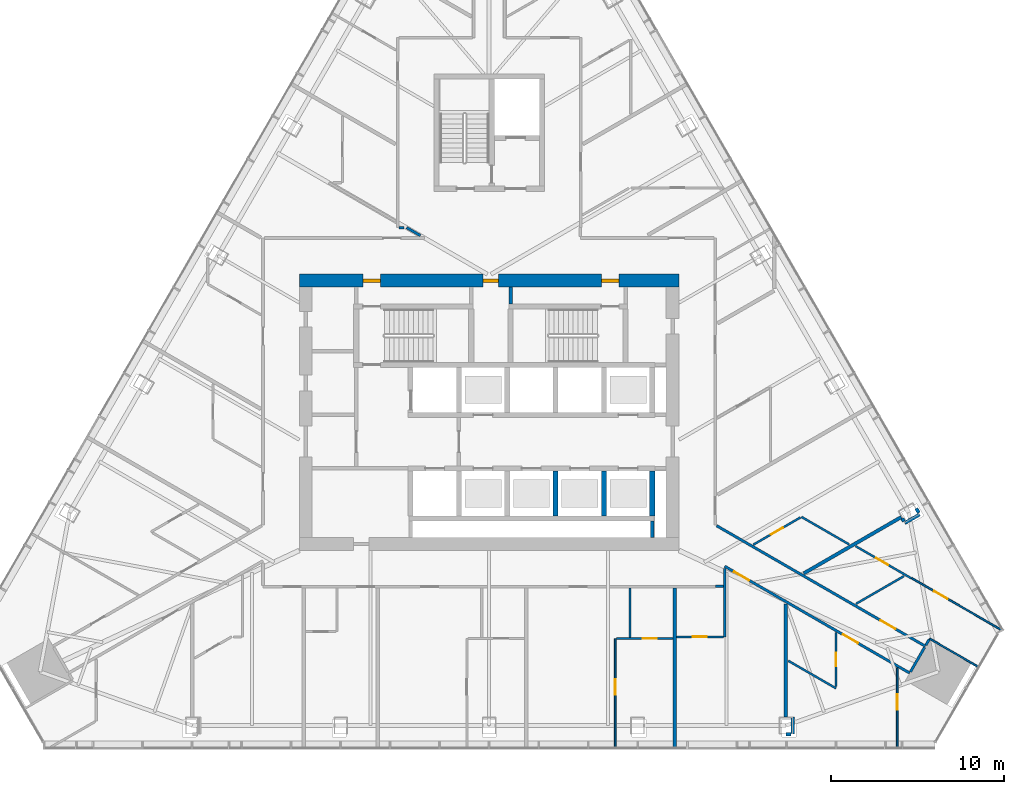
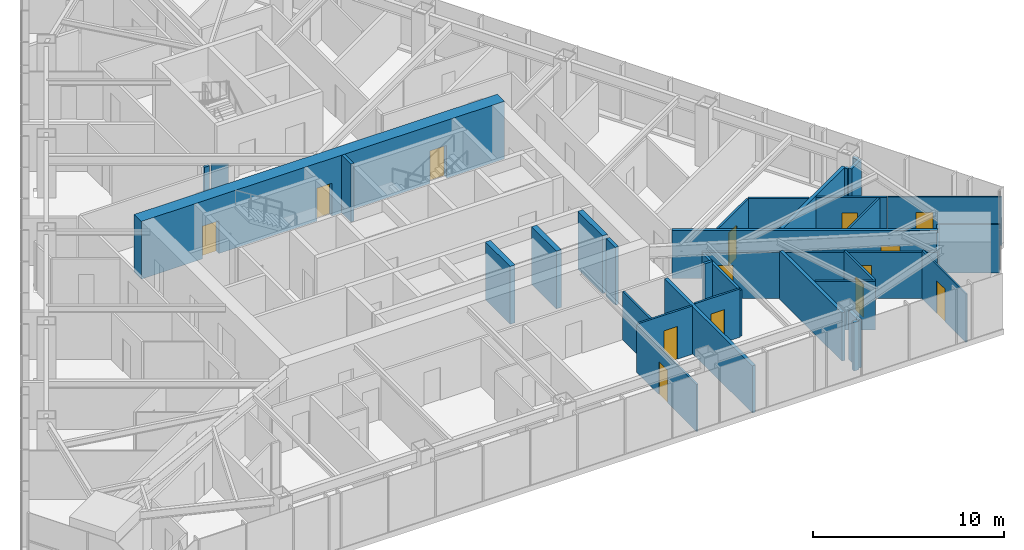
# One storey, part 12 of 16: 35 walls, 14 doors, 14 openings.
"""IFC4 building model written with IfcOpenShell, lengths in metres."""

import ifcopenshell
import ifcopenshell.guid

model = None  # the IFC model being written
_history = None  # IfcOwnerHistory: only IFC2X3 demands one
_inside = {}  # id of a spatial element -> (the spatial element, [elements in it])
_under = {}  # id of a project, library or spatial element -> (it, [spatial elements below it])
_declared = {}  # id of a project -> (the project, [libraries it declares])
_typed = {}  # id of a type object -> (the type object, [elements of that type])
_made_of = {}  # id of a material, layer set ... -> (it, [elements and type objects made of it])


def new_model(schema):
    """Start an empty IFC model of exactly this schema.

    Asked for "IFC4X3", IfcOpenShell would pick the latest addendum, in which some entities
    have other attributes; the version numbers below select the first issue.
    IFC2X3 requires an IfcOwnerHistory on every rooted entity: one is made here for all.
    """
    global model, _history
    if schema == "IFC4X3":
        model = ifcopenshell.file(schema_version=(4, 3, 0, 0))
    else:
        model = ifcopenshell.file(schema=schema)
    _inside.clear()
    _under.clear()
    _declared.clear()
    _typed.clear()
    _made_of.clear()
    _history = None
    if model.schema == "IFC2X3":
        org = make("IfcOrganization", Name="unknown")
        user = make(
            "IfcPersonAndOrganization",
            ThePerson=make("IfcPerson", FamilyName="unknown"),
            TheOrganization=org,
        )
        app = make(
            "IfcApplication",
            ApplicationDeveloper=org,
            Version="unknown",
            ApplicationFullName="unknown",
            ApplicationIdentifier="unknown",
        )
        _history = make(
            "IfcOwnerHistory",
            OwningUser=user,
            OwningApplication=app,
            ChangeAction="ADDED",
            CreationDate=0,
        )
    return model


def make(cls, **values):
    """One entity of the class cls with the attributes given. An attribute that is None is left unset."""
    return model.create_entity(
        cls, **{name: value for name, value in values.items() if value is not None}
    )


def rooted(cls, **values):
    """An entity with a GlobalId (a new one), such as an element, a storey or a relation."""
    return make(cls, GlobalId=ifcopenshell.guid.new(), OwnerHistory=_history, **values)


def si_unit(unit_type, name, prefix=None):
    """IfcSIUnit, for example si_unit("LENGTHUNIT", "METRE", prefix="MILLI")."""
    return make("IfcSIUnit", UnitType=unit_type, Prefix=prefix, Name=name)


def assignment(units):
    """IfcUnitAssignment: the units of a project."""
    return None if units is None else make("IfcUnitAssignment", Units=units)


def point(xyz):
    """IfcCartesianPoint."""
    return None if xyz is None else make("IfcCartesianPoint", Coordinates=xyz)


def direction(xyz):
    """IfcDirection."""
    return None if xyz is None else make("IfcDirection", DirectionRatios=xyz)


def frame(location, z_axis=None, x_axis=None):
    """IfcAxis2Placement3D, a coordinate frame: its origin and axes. An axis left out is left unset."""
    return make(
        "IfcAxis2Placement3D",
        Location=point(location),
        Axis=direction(z_axis),
        RefDirection=direction(x_axis),
    )


def frame_2d(location, x_axis=None):
    """IfcAxis2Placement2D, a coordinate frame in the plane: its origin and x axis."""
    return make(
        "IfcAxis2Placement2D", Location=point(location), RefDirection=direction(x_axis)
    )


def origin():
    """The frame at (0, 0, 0) with its axes left unset."""
    return frame((0.0, 0.0, 0.0))


def place(relative_to, where):
    """IfcLocalPlacement: puts the frame where relative to a parent placement (None: the world)."""
    return make(
        "IfcLocalPlacement", PlacementRelTo=relative_to, RelativePlacement=where
    )


def context(
    kind, dimensions, precision=None, world=None, true_north=None, identifier=None
):
    """IfcGeometricRepresentationContext, for example the 3D "Model" context."""
    return make(
        "IfcGeometricRepresentationContext",
        ContextIdentifier=identifier,
        ContextType=kind,
        CoordinateSpaceDimension=dimensions,
        Precision=precision,
        WorldCoordinateSystem=world,
        TrueNorth=true_north,
    )


def subcontext(parent, identifier, kind, view, scale=None):
    """IfcGeometricRepresentationSubContext, for example "Body" below "Model"."""
    return make(
        "IfcGeometricRepresentationSubContext",
        ContextIdentifier=identifier,
        ContextType=kind,
        ParentContext=parent,
        TargetScale=scale,
        TargetView=view,
    )


def project(units=None, contexts=None):
    """IfcProject with its units and contexts."""
    return rooted(
        "IfcProject",
        Name="project",
        RepresentationContexts=contexts,
        UnitsInContext=assignment(units),
    )


def spatial(cls, under=None, at=None, **own):
    """A site, building, storey or space (cls), placed at a placement, below another one or the project."""
    s = rooted(cls, ObjectPlacement=at, **own)
    if under is not None:
        _under.setdefault(under.id(), (under, []))[1].append(s)
    return s


def profile(cls, at=None, kind="AREA", **sizes):
    """A parametric profile (cls). Its sizes go by their IFC names, for example OverallWidth=200.0."""
    return make(cls, ProfileType=kind, Position=at, **sizes)


def rectangle(**sizes):
    """IfcRectangleProfileDef."""
    return profile("IfcRectangleProfileDef", **sizes)


def extrude(swept, where, along, depth):
    """IfcExtrudedAreaSolid: the profile swept, set in the frame where, extruded along a direction by depth."""
    return make(
        "IfcExtrudedAreaSolid",
        SweptArea=swept,
        Position=where,
        ExtrudedDirection=direction(along),
        Depth=depth,
    )


def shape(context_of_items, identifier, shape_type, items):
    """IfcShapeRepresentation: the items that make up one representation, for example the "Body"."""
    return make(
        "IfcShapeRepresentation",
        ContextOfItems=context_of_items,
        RepresentationIdentifier=identifier,
        RepresentationType=shape_type,
        Items=items,
    )


def material(Name=None, Category=None):
    """IfcMaterial."""
    return make("IfcMaterial", Name=Name, Category=Category)


def layer(
    of_material, thickness, ventilated=None, Name=None, Category=None, Priority=None
):
    """IfcMaterialLayer: one layer of a wall or slab, of a material (None: an air gap)."""
    return make(
        "IfcMaterialLayer",
        Material=of_material,
        LayerThickness=thickness,
        IsVentilated=ventilated,
        Name=Name,
        Category=Category,
        Priority=Priority,
    )


def layer_set(layers, Name=None):
    """IfcMaterialLayerSet."""
    return make("IfcMaterialLayerSet", MaterialLayers=layers, LayerSetName=Name)


def made_of(thing, what):
    """Note that an element or type object is made of a material, layer set ...; save() writes the relation."""
    if what is not None:
        _made_of.setdefault(what.id(), (what, []))[1].append(thing)
    return thing


def type_object(cls, material=None, **own):
    """A type object (cls), such as IfcWallType, which elements share."""
    return made_of(rooted(cls, **own), material)


def element(
    cls,
    number,
    at=None,
    inside=None,
    cuts=None,
    type_object=None,
    material=None,
    context=None,
    identifier="Body",
    shape_type=None,
    held_by="IfcProductDefinitionShape",
    body=None,
    shapes=None,
    **own,
):
    """One element of the class cls, such as IfcWall. Its Tag is "e" and its number.

    at: its placement. inside: the storey or other place that contains it. cuts: it is an
    opening in that element (IfcRelVoidsElement). A single representation is given by context,
    identifier, shape_type and body (its items); several are given by shapes. held_by: the class
    of the entity that holds the representations. save() writes the other relations.
    """
    e = rooted(cls, Tag="e%d" % number, ObjectPlacement=at, **own)
    if body is not None:
        shapes = [shape(context, identifier, shape_type, body)]
    if shapes is not None:
        e.Representation = make(held_by, Representations=shapes)
    if inside is not None:
        _inside.setdefault(inside.id(), (inside, []))[1].append(e)
    if cuts is not None:
        rooted(
            "IfcRelVoidsElement", RelatingBuildingElement=cuts, RelatedOpeningElement=e
        )
    if type_object is not None:
        _typed.setdefault(type_object.id(), (type_object, []))[1].append(e)
    return made_of(e, material)


def fill(opening, filler):
    """IfcRelFillsElement: the door or window that sits in an opening."""
    return rooted(
        "IfcRelFillsElement",
        RelatingOpeningElement=opening,
        RelatedBuildingElement=filler,
    )


def aggregate(whole, parts):
    """IfcRelAggregates: a whole, such as a stair, and the parts it consists of."""
    return rooted("IfcRelAggregates", RelatingObject=whole, RelatedObjects=parts)


def save(model, path):
    """Write the relations noted so far, then the file.

    IfcRelAggregates (storeys below a building ...), IfcRelContainedInSpatialStructure (elements
    in a storey), IfcRelDefinesByType, IfcRelAssociatesMaterial and IfcRelDeclares: one each for
    every whole, place, type object, material and project.
    """
    for whole, parts in _under.values():
        aggregate(whole, parts)
    for where, things in _inside.values():
        rooted(
            "IfcRelContainedInSpatialStructure",
            RelatedElements=things,
            RelatingStructure=where,
        )
    for kind, things in _typed.values():
        rooted("IfcRelDefinesByType", RelatedObjects=things, RelatingType=kind)
    for what, things in _made_of.values():
        rooted("IfcRelAssociatesMaterial", RelatedObjects=things, RelatingMaterial=what)
    for by, libraries in _declared.values():
        rooted("IfcRelDeclares", RelatingContext=by, RelatedDefinitions=libraries)
    model.write(path)


model = new_model("IFC4")

# Units and contexts
model_context = context("Model", 3, precision=1e-05, world=origin(), true_north=direction((0.0, 1.0)))
body_context = subcontext(model_context, "Body", "Model", "MODEL_VIEW")
ifc_project = project(units=[si_unit("LENGTHUNIT", "METRE"), si_unit("AREAUNIT", "SQUARE_METRE"), si_unit("VOLUMEUNIT", "CUBIC_METRE"), si_unit("PLANEANGLEUNIT", "RADIAN"), si_unit("MASSUNIT", "GRAM", prefix="KILO")], contexts=[model_context])

# Site, building, storey
site_placement = place(None, origin())
site = spatial("IfcSite", under=ifc_project, at=site_placement, CompositionType="ELEMENT")
building_placement = place(site_placement, origin())
building = spatial("IfcBuilding", under=site, at=building_placement, Name="Firuza Gate Tower and Library", CompositionType="ELEMENT")
storey_placement = place(building_placement, frame((0.0, 0.0, 198.699951171875)))
storey = spatial("IfcBuildingStorey", under=building, at=storey_placement, Name="L46", CompositionType="ELEMENT", Elevation=198.699951171875)

# Walls
ifc_material_1 = material(Name="Plasterboard on steel studs", Category="steel")
ifc_layer_1 = layer(ifc_material_1, 0.199951171875)
ifc_layer_set_1 = layer_set([ifc_layer_1], Name="Core partition 200 EI 120")
wall_type_1 = type_object("IfcWallType", Name="Core partition 200 EI 120", PredefinedType="PARTITIONING", material=ifc_layer_set_1)
wall_1_placement = place(storey_placement, frame((84.449951171875, 67.75, 0.0), z_axis=(0.0, 0.0, 1.0), x_axis=(0.0, 1.0, 0.0)))
element("IfcWall", 1, at=wall_1_placement, inside=storey, type_object=wall_type_1, Name="Core partition L46 14", PredefinedType="PARTITIONING", context=body_context, shape_type="SweptSolid", body=[
    extrude(rectangle(XDim=0.949951171875, YDim=0.199951171875, at=frame_2d((0.47509765625, 0.0))), origin(), (0.0, 0.0, 1.0), 3.699951171875),
])
ifc_material_2 = material(Name="Plasterboard on steel studs", Category="steel")
ifc_layer_2 = layer(ifc_material_2, 0.199951171875)
ifc_layer_set_2 = layer_set([ifc_layer_2], Name="Core partition 200 EI 60")
wall_type_2 = type_object("IfcWallType", Name="Core partition 200 EI 60", PredefinedType="PARTITIONING", material=ifc_layer_set_2)
wall_2_placement = place(storey_placement, frame((76.239990234375, 81.280029296875, 0.0), z_axis=(0.0, 0.0, 1.0), x_axis=(0.0, 1.0, 0.0)))
element("IfcWall", 2, at=wall_2_placement, inside=storey, type_object=wall_type_2, Name="Core partition L46 12", PredefinedType="PARTITIONING", context=body_context, shape_type="SweptSolid", body=[
    extrude(rectangle(XDim=0.969970703125, YDim=0.199951171875, at=frame_2d((0.48486328125, 0.0))), origin(), (0.0, 0.0, 1.0), 3.699951171875),
])
ifc_material_3 = material(Name="Concrete C80/95", Category="concrete")
ifc_layer_3 = layer(ifc_material_3, 0.300048828125)
ifc_layer_set_3 = layer_set([ifc_layer_3], Name="Core wall 300 C80/95")
wall_type_3 = type_object("IfcWallType", Name="Core wall 300 C80/95", PredefinedType="SHEAR", material=ifc_layer_set_3)
for number, where, z_axis, x_axis, name in (
    (3, (78.85009765625, 69.0, 0.0), (0.0, 0.0, 1.0), (0.0, 1.0, 0.0), "Core wall L46 14"),
    (4, (81.64990234375, 69.0, 0.0), (0.0, 0.0, 1.0), (0.0, 1.0, 0.0), "Core wall L46 16"),
    (5, (84.449951171875, 69.0, 0.0), (0.0, 0.0, 1.0), (0.0, 1.0, 0.0), "Core wall L46 18"),
):
    element("IfcWall", number, at=place(storey_placement, frame(where, z_axis=z_axis, x_axis=x_axis)), inside=storey, type_object=wall_type_3, Name=name, PredefinedType="SHEAR", context=body_context, shape_type="SweptSolid", body=[
        extrude(rectangle(XDim=2.60009765625, YDim=0.300048828125, at=frame_2d((1.300048828125, 0.0))), origin(), (0.0, 0.0, 1.0), 3.699951171875),
    ])

# Wall, openings, doors
ifc_material_4 = material(Name="Concrete C80/95", Category="concrete")
ifc_layer_4 = layer(ifc_material_4, 0.75)
ifc_layer_set_4 = layer_set([ifc_layer_4], Name="Core wall 750 C80/95")
wall_type_4 = type_object("IfcWallType", Name="Core wall 750 C80/95", PredefinedType="SHEAR", material=ifc_layer_set_4)
wall_3_placement = place(storey_placement, frame((64.0, 82.625, 0.0), z_axis=(0.0, 0.0, 1.0), x_axis=(1.0, 0.0, 0.0)))
wall_3 = element("IfcWall", 6, at=wall_3_placement, inside=storey, type_object=wall_type_4, Name="Core wall L46 2", PredefinedType="SHEAR", context=body_context, shape_type="SweptSolid", body=[
    extrude(rectangle(XDim=22.0, YDim=0.75, at=frame_2d((11.0, 0.0))), origin(), (0.0, 0.0, 1.0), 3.699951171875),
])
opening_1_placement = place(wall_3_placement, frame((3.695068359375, 0.0, 0.0)))
opening_1 = element("IfcOpeningElement", 7, at=opening_1_placement, cuts=wall_3, Name="Opening L46-K12", PredefinedType="OPENING", context=body_context, shape_type="SweptSolid", body=[
    extrude(rectangle(XDim=1.0, YDim=2.10009765625, at=frame_2d((0.5, 1.050048828125))), frame((0.0, 0.385009765625, 0.0), z_axis=(0.0, -1.0, 0.0), x_axis=(1.0, 0.0, 0.0)), (0.0, 0.0, 1.0), 0.77001953125),
])
opening_2_placement = place(wall_3_placement, frame((17.5048828125, 0.0, 0.0)))
opening_2 = element("IfcOpeningElement", 8, at=opening_2_placement, cuts=wall_3, Name="Opening L46-K14", PredefinedType="OPENING", context=body_context, shape_type="SweptSolid", body=[
    extrude(rectangle(XDim=1.0, YDim=2.10009765625, at=frame_2d((0.5, 1.050048828125))), frame((0.0, 0.385009765625, 0.0), z_axis=(0.0, -1.0, 0.0), x_axis=(1.0, 0.0, 0.0)), (0.0, 0.0, 1.0), 0.77001953125),
])
opening_3_placement = place(wall_3_placement, frame((10.64990234375, 0.0, 0.0)))
opening_3 = element("IfcOpeningElement", 9, at=opening_3_placement, cuts=wall_3, Name="Opening L46-K25", PredefinedType="OPENING", context=body_context, shape_type="SweptSolid", body=[
    extrude(rectangle(XDim=0.89990234375, YDim=2.10009765625, at=frame_2d((0.449951171875, 1.050048828125))), frame((0.0, 0.385009765625, 0.0), z_axis=(0.0, -1.0, 0.0), x_axis=(1.0, 0.0, 0.0)), (0.0, 0.0, 1.0), 0.77001953125),
])
ifc_material_5 = material(Name="Steel", Category="steel")
door_type_1 = type_object("IfcDoorType", Name="Fire door 1000x2100 FD90", OperationType="NOTDEFINED", PredefinedType="DOOR", material=ifc_material_5)
door_1_placement = place(opening_1_placement, origin())
door_1 = element("IfcDoor", 10, at=door_1_placement, inside=storey, type_object=door_type_1, Name="Door L46-K12", OperationType="SINGLE_SWING_LEFT", OverallHeight=2.10009765625, OverallWidth=1.0, PredefinedType="DOOR", context=body_context, shape_type="SweptSolid", body=[
    extrude(rectangle(XDim=1.0, YDim=2.10009765625, at=frame_2d((0.5, 1.050048828125))), frame((0.0, 0.094970703125, 0.0), z_axis=(0.0, -1.0, 0.0), x_axis=(1.0, 0.0, 0.0)), (0.0, 0.0, 1.0), 0.18994140625),
])
fill(opening_1, door_1)
door_2_placement = place(opening_2_placement, origin())
door_2 = element("IfcDoor", 11, at=door_2_placement, inside=storey, type_object=door_type_1, Name="Door L46-K14", OperationType="SINGLE_SWING_LEFT", OverallHeight=2.10009765625, OverallWidth=1.0, PredefinedType="DOOR", context=body_context, shape_type="SweptSolid", body=[
    extrude(rectangle(XDim=1.0, YDim=2.10009765625, at=frame_2d((0.5, 1.050048828125))), frame((0.0, 0.094970703125, 0.0), z_axis=(0.0, -1.0, 0.0), x_axis=(1.0, 0.0, 0.0)), (0.0, 0.0, 1.0), 0.18994140625),
])
fill(opening_2, door_2)
ifc_material_6 = material(Name="Steel", Category="steel")
door_type_2 = type_object("IfcDoorType", Name="Fire door 900x2100 FD30S", OperationType="NOTDEFINED", PredefinedType="DOOR", material=ifc_material_6)
door_3_placement = place(opening_3_placement, origin())
door_3 = element("IfcDoor", 12, at=door_3_placement, inside=storey, type_object=door_type_2, Name="Door L46-K25", OperationType="SINGLE_SWING_RIGHT", OverallHeight=2.10009765625, OverallWidth=0.89990234375, PredefinedType="DOOR", context=body_context, shape_type="SweptSolid", body=[
    extrude(rectangle(XDim=0.89990234375, YDim=2.10009765625, at=frame_2d((0.449951171875, 1.050048828125))), frame((0.0, 0.094970703125, 0.0), z_axis=(0.0, -1.0, 0.0), x_axis=(1.0, 0.0, 0.0)), (0.0, 0.0, 1.0), 0.18994140625),
])
fill(opening_3, door_3)

# Walls
ifc_material_7 = material(Name="Gypsum board partition")
ifc_layer_5 = layer(ifc_material_7, 0.14990234375)
ifc_layer_set_5 = layer_set([ifc_layer_5], Name="Corridor wall 150 double board on steel studs")
wall_type_5 = type_object("IfcWallType", Name="Corridor wall 150 double board on steel studs", PredefinedType="PARTITIONING", material=ifc_layer_set_5)
wall_4_placement = place(storey_placement, frame((88.10009765625, 64.9189453125, 0.0), z_axis=(0.0, 0.0, 1.0), x_axis=(1.0, 0.0, 0.0)))
element("IfcWall", 13, at=wall_4_placement, inside=storey, type_object=wall_type_5, Name="f:L46:w008", PredefinedType="PARTITIONING", context=body_context, shape_type="SweptSolid", body=[
    extrude(rectangle(XDim=0.467529296875, YDim=0.14990234375, at=frame_2d((0.23388671875, 0.0))), origin(), (0.0, 0.0, 1.0), 3.10009765625),
])
wall_5_placement = place(storey_placement, frame((69.775390625, 85.699951171875, 0.0), z_axis=(0.0, 0.0, 1.0), x_axis=(1.0, 0.0, 0.0)))
element("IfcWall", 14, at=wall_5_placement, inside=storey, type_object=wall_type_5, Name="f:L46:w011", PredefinedType="PARTITIONING", context=body_context, shape_type="SweptSolid", body=[
    extrude(rectangle(XDim=0.291748046875, YDim=0.14990234375, at=frame_2d((0.14599609375, 0.0))), origin(), (0.0, 0.0, 1.0), 3.09716796875),
])
wall_6_placement = place(storey_placement, frame((99.397705078125, 59.9619140625, 0.0), z_axis=(0.0, 0.0, 1.0), x_axis=(0.499927431592, 0.866067297121, 0.0)))
element("IfcWall", 15, at=wall_6_placement, inside=storey, type_object=wall_type_5, Name="f:L46:w037", PredefinedType="PARTITIONING", context=body_context, shape_type="SweptSolid", body=[
    extrude(rectangle(XDim=1.649658203125, YDim=0.14990234375, at=frame_2d((0.82470703125, 0.0))), origin(), (0.0, 0.0, 1.0), 2.947021484375),
])
wall_7_placement = place(storey_placement, frame((88.64306640625, 62.0, 0.0), z_axis=(0.0, 0.0, 1.0), x_axis=(0.0, 1.0, 0.0)))
element("IfcWall", 16, at=wall_7_placement, inside=storey, type_object=wall_type_5, Name="f:L46:w044", PredefinedType="PARTITIONING", context=body_context, shape_type="SweptSolid", body=[
    extrude(rectangle(XDim=3.947265625, YDim=0.14990234375, at=frame_2d((1.9736328125, 0.0))), origin(), (0.0, 0.0, 1.0), 2.947021484375),
])
wall_8_placement = place(storey_placement, frame((71.013916015625, 85.239990234375, 0.0), z_axis=(0.0, 0.0, 1.0), x_axis=(-0.865964657013, 0.500105201737, 0.0)))
element("IfcWall", 17, at=wall_8_placement, inside=storey, type_object=wall_type_5, Name="f:L46:w079", PredefinedType="PARTITIONING", context=body_context, shape_type="SweptSolid", body=[
    extrude(rectangle(XDim=0.920166015625, YDim=0.14990234375, at=frame_2d((0.4599609375, 0.0))), origin(), (0.0, 0.0, 1.0), 3.09716796875),
])

# Wall, opening, door
wall_9_placement = place(storey_placement, frame((88.175048828125, 68.4326171875, 0.0), z_axis=(0.0, 0.0, 1.0), x_axis=(0.866030582951, -0.499991029314, 0.0)))
wall_9 = element("IfcWall", 18, at=wall_9_placement, inside=storey, type_object=wall_type_5, Name="f:L46:w086", PredefinedType="PARTITIONING", context=body_context, shape_type="SweptSolid", body=[
    extrude(rectangle(XDim=13.953857421875, YDim=0.14990234375, at=frame_2d((6.97705078125, 0.0))), origin(), (0.0, 0.0, 1.0), 3.10009765625),
])
opening_4_placement = place(wall_9_placement, frame((10.967041015625, 0.0, 0.0)))
opening_4 = element("IfcOpeningElement", 19, at=opening_4_placement, cuts=wall_9, Name="Opening L46-41", PredefinedType="OPENING", context=body_context, shape_type="SweptSolid", body=[
    extrude(rectangle(XDim=1.0, YDim=2.10009765625, at=frame_2d((0.5, 1.050048828125))), frame((0.0, 0.0849609375, 0.0), z_axis=(0.0, -1.0, 0.0), x_axis=(1.0, 0.0, 0.0)), (0.0, 0.0, 1.0), 0.169921875),
])
ifc_material_8 = material(Name="Steel door and timber leaf", Category="steel")
door_type_3 = type_object("IfcDoorType", Name="Fire door 1000 x 2100 steel frame, timber leaf", OperationType="NOTDEFINED", PredefinedType="DOOR", material=ifc_material_8)
door_4_placement = place(opening_4_placement, origin())
door_4 = element("IfcDoor", 20, at=door_4_placement, inside=storey, type_object=door_type_3, Name="f:L46:d041", OperationType="SINGLE_SWING_LEFT", OverallHeight=2.10009765625, OverallWidth=1.0, PredefinedType="DOOR", context=body_context, shape_type="SweptSolid", body=[
    extrude(rectangle(XDim=1.0, YDim=2.10009765625, at=frame_2d((0.5, 1.050048828125))), frame((0.0, 0.02490234375, 0.0), z_axis=(0.0, -1.0, 0.0), x_axis=(1.0, 0.0, 0.0)), (0.0, 0.0, 1.0), 0.050048828125),
])
fill(opening_4, door_4)

# Wall, openings, doors
wall_10_placement = place(storey_placement, frame((99.359619140625, 59.89697265625, 0.0), z_axis=(0.0, 0.0, 1.0), x_axis=(-0.866029863972, 0.499992274648, 0.0)))
wall_10 = element("IfcWall", 21, at=wall_10_placement, inside=storey, type_object=wall_type_5, Name="f:L46:w087", PredefinedType="PARTITIONING", context=body_context, shape_type="SweptSolid", body=[
    extrude(rectangle(XDim=12.375244140625, YDim=0.14990234375, at=frame_2d((6.1875, 0.0))), origin(), (0.0, 0.0, 1.0), 2.947021484375),
])
opening_5_placement = place(wall_10_placement, frame((3.470458984375, 0.0, 0.0)))
opening_5 = element("IfcOpeningElement", 22, at=opening_5_placement, cuts=wall_10, Name="Opening L46-42", PredefinedType="OPENING", context=body_context, shape_type="SweptSolid", body=[
    extrude(rectangle(XDim=1.0, YDim=2.10009765625, at=frame_2d((0.5, 1.050048828125))), frame((0.0, 0.0849609375, 0.0), z_axis=(0.0, -1.0, 0.0), x_axis=(1.0, 0.0, 0.0)), (0.0, 0.0, 1.0), 0.169921875),
])
opening_6_placement = place(wall_10_placement, frame((10.740478515625, 0.0, 0.0)))
opening_6 = element("IfcOpeningElement", 23, at=opening_6_placement, cuts=wall_10, Name="Opening L46-43", PredefinedType="OPENING", context=body_context, shape_type="SweptSolid", body=[
    extrude(rectangle(XDim=1.0, YDim=2.10009765625, at=frame_2d((0.5, 1.050048828125))), frame((0.0, 0.0849609375, 0.0), z_axis=(0.0, -1.0, 0.0), x_axis=(1.0, 0.0, 0.0)), (0.0, 0.0, 1.0), 0.169921875),
])
door_5_placement = place(opening_5_placement, origin())
door_5 = element("IfcDoor", 24, at=door_5_placement, inside=storey, type_object=door_type_3, Name="f:L46:d042", OperationType="SINGLE_SWING_LEFT", OverallHeight=2.10009765625, OverallWidth=1.0, PredefinedType="DOOR", context=body_context, shape_type="SweptSolid", body=[
    extrude(rectangle(XDim=1.0, YDim=2.10009765625, at=frame_2d((0.5, 1.050048828125))), frame((0.0, 0.02490234375, 0.0), z_axis=(0.0, -1.0, 0.0), x_axis=(1.0, 0.0, 0.0)), (0.0, 0.0, 1.0), 0.050048828125),
])
fill(opening_5, door_5)
door_6_placement = place(opening_6_placement, origin())
door_6 = element("IfcDoor", 25, at=door_6_placement, inside=storey, type_object=door_type_3, Name="f:L46:d043", OperationType="SINGLE_SWING_LEFT", OverallHeight=2.10009765625, OverallWidth=1.0, PredefinedType="DOOR", context=body_context, shape_type="SweptSolid", body=[
    extrude(rectangle(XDim=1.0, YDim=2.10009765625, at=frame_2d((0.5, 1.050048828125))), frame((0.0, 0.02490234375, 0.0), z_axis=(0.0, -1.0, 0.0), x_axis=(1.0, 0.0, 0.0)), (0.0, 0.0, 1.0), 0.050048828125),
])
fill(opening_6, door_6)

# Walls
wall_11_placement = place(storey_placement, frame((100.297607421875, 61.5205078125, 0.0), z_axis=(0.0, 0.0, 1.0), x_axis=(0.499647160578, 0.866229019905, 0.0)))
element("IfcWall", 26, at=wall_11_placement, inside=storey, type_object=wall_type_5, Name="f:L46:w097", PredefinedType="PARTITIONING", context=body_context, shape_type="SweptSolid", body=[
    extrude(rectangle(XDim=0.374267578125, YDim=0.14990234375, at=frame_2d((0.18701171875, 0.0))), origin(), (0.0, 0.0, 1.0), 3.10009765625),
])
ifc_material_9 = material(Name="Gypsum board partition")
ifc_layer_6 = layer(ifc_material_9, 0.199951171875)
ifc_layer_set_6 = layer_set([ifc_layer_6], Name="Demising wall 200 acoustic double stud")
wall_type_6 = type_object("IfcWallType", Name="Demising wall 200 acoustic double stud", PredefinedType="PARTITIONING", material=ifc_layer_set_6)
wall_12_placement = place(storey_placement, frame((92.1875, 56.35791015625, 0.0), z_axis=(0.0, 0.0, 1.0), x_axis=(1.0, 0.0, 0.0)))
element("IfcWall", 27, at=wall_12_placement, inside=storey, type_object=wall_type_6, Name="f:L46:w001", PredefinedType="PARTITIONING", context=body_context, shape_type="SweptSolid", body=[
    extrude(rectangle(XDim=0.2900390625, YDim=0.199951171875, at=frame_2d((0.14501953125, 0.0))), origin(), (0.0, 0.0, 1.0), 3.10009765625),
])
wall_13_placement = place(storey_placement, frame((99.072509765625, 68.589599609375, 0.0), z_axis=(0.0, 0.0, 1.0), x_axis=(0.866039090965, 0.499976292358, 0.0)))
element("IfcWall", 28, at=wall_13_placement, inside=storey, type_object=wall_type_6, Name="f:L46:w019", PredefinedType="PARTITIONING", context=body_context, shape_type="SweptSolid", body=[
    extrude(rectangle(XDim=0.9990234375, YDim=0.199951171875, at=frame_2d((0.49951171875, 0.0))), origin(), (0.0, 0.0, 1.0), 3.10009765625),
])
wall_14_placement = place(storey_placement, frame((93.214599609375, 65.66943359375, 0.0), z_axis=(0.0, 0.0, 1.0), x_axis=(0.866021893259, 0.50000608036, 0.0)))
element("IfcWall", 29, at=wall_14_placement, inside=storey, type_object=wall_type_6, Name="f:L46:w020", PredefinedType="PARTITIONING", context=body_context, shape_type="SweptSolid", body=[
    extrude(rectangle(XDim=6.5322265625, YDim=0.199951171875, at=frame_2d((3.26611328125, 0.0))), origin(), (0.0, 0.0, 1.0), 3.10009765625),
])
wall_15_placement = place(storey_placement, frame((92.5869140625, 56.3583984375, 0.0), z_axis=(0.0, 0.0, 1.0), x_axis=(0.0, 1.0, 0.0)))
element("IfcWall", 30, at=wall_15_placement, inside=storey, type_object=wall_type_6, Name="f:L46:w040", PredefinedType="PARTITIONING", context=body_context, shape_type="SweptSolid", body=[
    extrude(rectangle(XDim=1.0, YDim=0.199951171875, at=frame_2d((0.5, 0.0))), origin(), (0.0, 0.0, 1.0), 3.10009765625),
])
wall_16_placement = place(storey_placement, frame((92.18701171875, 57.3583984375, 0.0), z_axis=(0.0, 0.0, 1.0), x_axis=(0.0, 1.0, 0.0)))
element("IfcWall", 31, at=wall_16_placement, inside=storey, type_object=wall_type_6, Name="f:L46:w041", PredefinedType="PARTITIONING", context=body_context, shape_type="SweptSolid", body=[
    extrude(rectangle(XDim=6.532470703125, YDim=0.199951171875, at=frame_2d((3.26611328125, 0.0))), origin(), (0.0, 0.0, 1.0), 3.10009765625),
])
wall_17_placement = place(storey_placement, frame((85.741943359375, 55.598388671875, 0.0), z_axis=(0.0, 0.0, 1.0), x_axis=(0.0, 1.0, 0.0)))
element("IfcWall", 32, at=wall_17_placement, inside=storey, type_object=wall_type_6, Name="f:L46:w046", PredefinedType="PARTITIONING", context=body_context, shape_type="SweptSolid", body=[
    extrude(rectangle(XDim=9.2265625, YDim=0.199951171875, at=frame_2d((4.61328125, 0.0))), origin(), (0.0, 0.0, 1.0), 3.02197265625),
])
wall_18_placement = place(storey_placement, frame((99.887939453125, 69.177001953125, 0.0), z_axis=(0.0, 0.0, 1.0), x_axis=(-0.500005339912, 0.866022320763, 0.0)))
element("IfcWall", 33, at=wall_18_placement, inside=storey, type_object=wall_type_6, Name="f:L46:w072", PredefinedType="PARTITIONING", context=body_context, shape_type="SweptSolid", body=[
    extrude(rectangle(XDim=0.298828125, YDim=0.199951171875, at=frame_2d((0.1494140625, 0.0))), origin(), (0.0, 0.0, 1.0), 3.10009765625),
])
wall_19_placement = place(storey_placement, frame((99.02197265625, 68.677001953125, 0.0), z_axis=(0.0, 0.0, 1.0), x_axis=(-0.4999705729, 0.866042392862, 0.0)))
element("IfcWall", 34, at=wall_19_placement, inside=storey, type_object=wall_type_6, Name="f:L46:w073", PredefinedType="PARTITIONING", context=body_context, shape_type="SweptSolid", body=[
    extrude(rectangle(XDim=0.19873046875, YDim=0.199951171875, at=frame_2d((0.099365234375, 0.0))), origin(), (0.0, 0.0, 1.0), 3.10009765625),
])

# Wall, opening, door
ifc_material_10 = material(Name="Gypsum board partition")
ifc_layer_7 = layer(ifc_material_10, 0.10009765625)
ifc_layer_set_7 = layer_set([ifc_layer_7], Name="Partition 100 gypsum board on steel studs")
wall_type_7 = type_object("IfcWallType", Name="Partition 100 gypsum board on steel studs", PredefinedType="PARTITIONING", material=ifc_layer_set_7)
wall_20_placement = place(storey_placement, frame((98.633056640625, 55.598388671875, 0.0), z_axis=(0.0, 0.0, 1.0), x_axis=(0.0, 1.0, 0.0)))
wall_20 = element("IfcWall", 35, at=wall_20_placement, inside=storey, type_object=wall_type_7, Name="f:L46:w038", PredefinedType="PARTITIONING", context=body_context, shape_type="SweptSolid", body=[
    extrude(rectangle(XDim=4.601318359375, YDim=0.10009765625, at=frame_2d((2.30078125, 0.0))), origin(), (0.0, 0.0, 1.0), 3.10009765625),
])
opening_7_placement = place(wall_20_placement, frame((2.1806640625, 0.0, 0.0)))
opening_7 = element("IfcOpeningElement", 36, at=opening_7_placement, cuts=wall_20, Name="Opening L46-21", PredefinedType="OPENING", context=body_context, shape_type="SweptSolid", body=[
    extrude(rectangle(XDim=0.89990234375, YDim=2.10009765625, at=frame_2d((0.449951171875, 1.050048828125))), frame((0.0, 0.06005859375, 0.0), z_axis=(0.0, -1.0, 0.0), x_axis=(1.0, 0.0, 0.0)), (0.0, 0.0, 1.0), 0.1201171875),
])
ifc_material_11 = material(Name="Timber door", Category="wood")
door_type_4 = type_object("IfcDoorType", Name="Door 900 x 2100 timber leaf", OperationType="NOTDEFINED", PredefinedType="DOOR", material=ifc_material_11)
door_7_placement = place(opening_7_placement, origin())
door_7 = element("IfcDoor", 37, at=door_7_placement, inside=storey, type_object=door_type_4, Name="f:L46:d021", OperationType="SINGLE_SWING_LEFT", OverallHeight=2.10009765625, OverallWidth=0.89990234375, PredefinedType="DOOR", context=body_context, shape_type="SweptSolid", body=[
    extrude(rectangle(XDim=0.89990234375, YDim=2.10009765625, at=frame_2d((0.449951171875, 1.050048828125))), frame((0.0, 0.02490234375, 0.0), z_axis=(0.0, -1.0, 0.0), x_axis=(1.0, 0.0, 0.0)), (0.0, 0.0, 1.0), 0.050048828125),
])
fill(opening_7, door_7)

wall_21_placement = place(storey_placement, frame((82.304931640625, 61.89990234375, 0.0), z_axis=(0.0, 0.0, 1.0), x_axis=(0.0, -1.0, 0.0)))
wall_21 = element("IfcWall", 38, at=wall_21_placement, inside=storey, type_object=wall_type_7, Name="f:L46:w049", PredefinedType="PARTITIONING", context=body_context, shape_type="SweptSolid", body=[
    extrude(rectangle(XDim=6.301513671875, YDim=0.10009765625, at=frame_2d((3.15087890625, 0.0))), origin(), (0.0, 0.0, 1.0), 3.02197265625),
])
opening_8_placement = place(wall_21_placement, frame((2.370849609375, 0.0, 0.0)))
opening_8 = element("IfcOpeningElement", 39, at=opening_8_placement, cuts=wall_21, Name="Opening L46-26", PredefinedType="OPENING", context=body_context, shape_type="SweptSolid", body=[
    extrude(rectangle(XDim=0.89990234375, YDim=2.10009765625, at=frame_2d((0.449951171875, 1.050048828125))), frame((0.0, 0.06005859375, 0.0), z_axis=(0.0, -1.0, 0.0), x_axis=(1.0, 0.0, 0.0)), (0.0, 0.0, 1.0), 0.1201171875),
])
door_8_placement = place(opening_8_placement, origin())
door_8 = element("IfcDoor", 40, at=door_8_placement, inside=storey, type_object=door_type_4, Name="f:L46:d026", OperationType="SINGLE_SWING_RIGHT", OverallHeight=2.10009765625, OverallWidth=0.89990234375, PredefinedType="DOOR", context=body_context, shape_type="SweptSolid", body=[
    extrude(rectangle(XDim=0.89990234375, YDim=2.10009765625, at=frame_2d((0.449951171875, 1.050048828125))), frame((0.0, 0.02490234375, 0.0), z_axis=(0.0, -1.0, 0.0), x_axis=(1.0, 0.0, 0.0)), (0.0, 0.0, 1.0), 0.050048828125),
])
fill(opening_8, door_8)

wall_22_placement = place(storey_placement, frame((99.475341796875, 65.39453125, 0.0), z_axis=(0.0, 0.0, 1.0), x_axis=(0.8660294821, -0.499992936083, 0.0)))
wall_22 = element("IfcWall", 41, at=wall_22_placement, inside=storey, type_object=wall_type_7, Name="f:L46:w081", PredefinedType="PARTITIONING", context=body_context, shape_type="SweptSolid", body=[
    extrude(rectangle(XDim=6.01611328125, YDim=0.10009765625, at=frame_2d((3.008056640625, 0.0))), origin(), (0.0, 0.0, 1.0), 3.10009765625),
])
opening_9_placement = place(wall_22_placement, frame((1.502685546875, 0.0, 0.0)))
opening_9 = element("IfcOpeningElement", 42, at=opening_9_placement, cuts=wall_22, Name="Opening L46-39", PredefinedType="OPENING", context=body_context, shape_type="SweptSolid", body=[
    extrude(rectangle(XDim=0.89990234375, YDim=2.10009765625, at=frame_2d((0.449951171875, 1.050048828125))), frame((0.0, 0.06005859375, 0.0), z_axis=(0.0, -1.0, 0.0), x_axis=(1.0, 0.0, 0.0)), (0.0, 0.0, 1.0), 0.1201171875),
])
door_9_placement = place(opening_9_placement, origin())
door_9 = element("IfcDoor", 43, at=door_9_placement, inside=storey, type_object=door_type_4, Name="f:L46:d039", OperationType="SINGLE_SWING_RIGHT", OverallHeight=2.10009765625, OverallWidth=0.89990234375, PredefinedType="DOOR", context=body_context, shape_type="SweptSolid", body=[
    extrude(rectangle(XDim=0.89990234375, YDim=2.10009765625, at=frame_2d((0.449951171875, 1.050048828125))), frame((0.0, 0.02490234375, 0.0), z_axis=(0.0, -1.0, 0.0), x_axis=(1.0, 0.0, 0.0)), (0.0, 0.0, 1.0), 0.050048828125),
])
fill(opening_9, door_9)

# Wall
wall_23_placement = place(storey_placement, frame((103.333251953125, 60.258544921875, 0.0), z_axis=(0.0, 0.0, 1.0), x_axis=(-0.866035906198, 0.499981808845, 0.0)))
element("IfcWall", 44, at=wall_23_placement, inside=storey, type_object=wall_type_7, Name="f:L46:w085", PredefinedType="PARTITIONING", context=body_context, shape_type="SweptSolid", body=[
    extrude(rectangle(XDim=3.25927734375, YDim=0.10009765625, at=frame_2d((1.629638671875, 0.0))), origin(), (0.0, 0.0, 1.0), 3.10009765625),
])

# Wall, opening, door
ifc_material_12 = material(Name="Gypsum board partition")
ifc_layer_8 = layer(ifc_material_12, 0.1201171875)
ifc_layer_set_8 = layer_set([ifc_layer_8], Name="Wet-area partition 120 moisture-resistant board")
wall_type_8 = type_object("IfcWallType", Name="Wet-area partition 120 moisture-resistant board", PredefinedType="PARTITIONING", material=ifc_layer_set_8)
wall_24_placement = place(storey_placement, frame((82.36474609375, 61.89990234375, 0.0), z_axis=(0.0, 0.0, 1.0), x_axis=(1.0, 0.0, 0.0)))
wall_24 = element("IfcWall", 45, at=wall_24_placement, inside=storey, type_object=wall_type_8, Name="f:L46:w003", PredefinedType="PARTITIONING", context=body_context, shape_type="SweptSolid", body=[
    extrude(rectangle(XDim=3.267333984375, YDim=0.1201171875, at=frame_2d((1.6337890625, 0.0))), origin(), (0.0, 0.0, 1.0), 3.10009765625),
])
opening_10_placement = place(wall_24_placement, frame((1.533447265625, 0.0, 0.0)))
opening_10 = element("IfcOpeningElement", 46, at=opening_10_placement, cuts=wall_24, Name="Opening L46-02", PredefinedType="OPENING", context=body_context, shape_type="SweptSolid", body=[
    extrude(rectangle(XDim=0.800048828125, YDim=2.10009765625, at=frame_2d((0.39990234375, 1.050048828125))), frame((0.0, 0.070068359375, 0.0), z_axis=(0.0, -1.0, 0.0), x_axis=(1.0, 0.0, 0.0)), (0.0, 0.0, 1.0), 0.14013671875),
])
ifc_material_13 = material(Name="Timber door", Category="wood")
door_type_5 = type_object("IfcDoorType", Name="Door 800 x 2100 timber leaf", OperationType="NOTDEFINED", PredefinedType="DOOR", material=ifc_material_13)
door_10_placement = place(opening_10_placement, origin())
door_10 = element("IfcDoor", 47, at=door_10_placement, inside=storey, type_object=door_type_5, Name="f:L46:d002", OperationType="SINGLE_SWING_RIGHT", OverallHeight=2.10009765625, OverallWidth=0.800048828125, PredefinedType="DOOR", context=body_context, shape_type="SweptSolid", body=[
    extrude(rectangle(XDim=0.800048828125, YDim=2.10009765625, at=frame_2d((0.39990234375, 1.050048828125))), frame((0.0, 0.02490234375, 0.0), z_axis=(0.0, -1.0, 0.0), x_axis=(1.0, 0.0, 0.0)), (0.0, 0.0, 1.0), 0.050048828125),
])
fill(opening_10, door_10)

wall_25_placement = place(storey_placement, frame((85.84228515625, 62.0, 0.0), z_axis=(0.0, 0.0, 1.0), x_axis=(1.0, 0.0, 0.0)))
wall_25 = element("IfcWall", 48, at=wall_25_placement, inside=storey, type_object=wall_type_8, Name="f:L46:w005", PredefinedType="PARTITIONING", context=body_context, shape_type="SweptSolid", body=[
    extrude(rectangle(XDim=2.725341796875, YDim=0.1201171875, at=frame_2d((1.36279296875, 0.0))), origin(), (0.0, 0.0, 1.0), 3.10009765625),
])
opening_11_placement = place(wall_25_placement, frame((0.962646484375, 0.0, 0.0)))
opening_11 = element("IfcOpeningElement", 49, at=opening_11_placement, cuts=wall_25, Name="Opening L46-03", PredefinedType="OPENING", context=body_context, shape_type="SweptSolid", body=[
    extrude(rectangle(XDim=0.800048828125, YDim=2.10009765625, at=frame_2d((0.39990234375, 1.050048828125))), frame((0.0, 0.070068359375, 0.0), z_axis=(0.0, -1.0, 0.0), x_axis=(1.0, 0.0, 0.0)), (0.0, 0.0, 1.0), 0.14013671875),
])
door_11_placement = place(opening_11_placement, origin())
door_11 = element("IfcDoor", 50, at=door_11_placement, inside=storey, type_object=door_type_5, Name="f:L46:d003", OperationType="SINGLE_SWING_RIGHT", OverallHeight=2.10009765625, OverallWidth=0.800048828125, PredefinedType="DOOR", context=body_context, shape_type="SweptSolid", body=[
    extrude(rectangle(XDim=0.800048828125, YDim=2.10009765625, at=frame_2d((0.39990234375, 1.050048828125))), frame((0.0, 0.02490234375, 0.0), z_axis=(0.0, -1.0, 0.0), x_axis=(1.0, 0.0, 0.0)), (0.0, 0.0, 1.0), 0.050048828125),
])
fill(opening_11, door_11)

# Wall
wall_26_placement = place(storey_placement, frame((96.2373046875, 63.904296875, 0.0), z_axis=(0.0, 0.0, 1.0), x_axis=(0.86605210011, 0.499953757757, 0.0)))
element("IfcWall", 51, at=wall_26_placement, inside=storey, type_object=wall_type_8, Name="f:L46:w018", PredefinedType="PARTITIONING", context=body_context, shape_type="SweptSolid", body=[
    extrude(rectangle(XDim=3.228271484375, YDim=0.1201171875, at=frame_2d((1.6142578125, 0.0))), origin(), (0.0, 0.0, 1.0), 3.10009765625),
])

# Wall, opening, door
wall_27_placement = place(storey_placement, frame((93.027099609375, 68.910888671875, 0.0), z_axis=(0.0, 0.0, 1.0), x_axis=(-0.866028267601, -0.499995039691, 0.0)))
wall_27 = element("IfcWall", 52, at=wall_27_placement, inside=storey, type_object=wall_type_8, Name="f:L46:w021", PredefinedType="PARTITIONING", context=body_context, shape_type="SweptSolid", body=[
    extrude(rectangle(XDim=3.15283203125, YDim=0.1201171875, at=frame_2d((1.576416015625, 0.0))), origin(), (0.0, 0.0, 1.0), 3.10009765625),
])
opening_12_placement = place(wall_27_placement, frame((1.17626953125, 0.0, 0.0)))
opening_12 = element("IfcOpeningElement", 53, at=opening_12_placement, cuts=wall_27, Name="Opening L46-13", PredefinedType="OPENING", context=body_context, shape_type="SweptSolid", body=[
    extrude(rectangle(XDim=0.800048828125, YDim=2.10009765625, at=frame_2d((0.39990234375, 1.050048828125))), frame((0.0, 0.070068359375, 0.0), z_axis=(0.0, -1.0, 0.0), x_axis=(1.0, 0.0, 0.0)), (0.0, 0.0, 1.0), 0.14013671875),
])
door_12_placement = place(opening_12_placement, origin())
door_12 = element("IfcDoor", 54, at=door_12_placement, inside=storey, type_object=door_type_5, Name="f:L46:d013", OperationType="SINGLE_SWING_LEFT", OverallHeight=2.10009765625, OverallWidth=0.800048828125, PredefinedType="DOOR", context=body_context, shape_type="SweptSolid", body=[
    extrude(rectangle(XDim=0.800048828125, YDim=2.10009765625, at=frame_2d((0.39990234375, 1.050048828125))), frame((0.0, 0.02490234375, 0.0), z_axis=(0.0, -1.0, 0.0), x_axis=(1.0, 0.0, 0.0)), (0.0, 0.0, 1.0), 0.050048828125),
])
fill(opening_12, door_12)

wall_28_placement = place(storey_placement, frame((95.087890625, 59.123779296875, 0.0), z_axis=(0.0, 0.0, 1.0), x_axis=(0.0, 1.0, 0.0)))
wall_28 = element("IfcWall", 55, at=wall_28_placement, inside=storey, type_object=wall_type_8, Name="f:L46:w039", PredefinedType="PARTITIONING", context=body_context, shape_type="SweptSolid", body=[
    extrude(rectangle(XDim=3.112548828125, YDim=0.1201171875, at=frame_2d((1.55615234375, 0.0))), origin(), (0.0, 0.0, 1.0), 3.10009765625),
])
opening_13_placement = place(wall_28_placement, frame((1.156494140625, 0.0, 0.0)))
opening_13 = element("IfcOpeningElement", 56, at=opening_13_placement, cuts=wall_28, Name="Opening L46-22", PredefinedType="OPENING", context=body_context, shape_type="SweptSolid", body=[
    extrude(rectangle(XDim=0.800048828125, YDim=2.10009765625, at=frame_2d((0.39990234375, 1.050048828125))), frame((0.0, 0.070068359375, 0.0), z_axis=(0.0, -1.0, 0.0), x_axis=(1.0, 0.0, 0.0)), (0.0, 0.0, 1.0), 0.14013671875),
])
door_13_placement = place(opening_13_placement, origin())
door_13 = element("IfcDoor", 57, at=door_13_placement, inside=storey, type_object=door_type_5, Name="f:L46:d022", OperationType="SINGLE_SWING_RIGHT", OverallHeight=2.10009765625, OverallWidth=0.800048828125, PredefinedType="DOOR", context=body_context, shape_type="SweptSolid", body=[
    extrude(rectangle(XDim=0.800048828125, YDim=2.10009765625, at=frame_2d((0.39990234375, 1.050048828125))), frame((0.0, 0.02490234375, 0.0), z_axis=(0.0, -1.0, 0.0), x_axis=(1.0, 0.0, 0.0)), (0.0, 0.0, 1.0), 0.050048828125),
])
fill(opening_13, door_13)

# Wall
wall_29_placement = place(storey_placement, frame((83.1640625, 61.9599609375, 0.0), z_axis=(0.0, 0.0, 1.0), x_axis=(0.0, 1.0, 0.0)))
element("IfcWall", 58, at=wall_29_placement, inside=storey, type_object=wall_type_8, Name="f:L46:w048", PredefinedType="PARTITIONING", context=body_context, shape_type="SweptSolid", body=[
    extrude(rectangle(XDim=2.864990234375, YDim=0.1201171875, at=frame_2d((1.4326171875, 0.0))), origin(), (0.0, 0.0, 1.0), 3.10009765625),
])

# Wall, opening, door
wall_30_placement = place(storey_placement, frame((99.455810546875, 65.384033203125, 0.0), z_axis=(0.0, 0.0, 1.0), x_axis=(-0.866053838069, 0.49995074714, 0.0)))
wall_30 = element("IfcWall", 59, at=wall_30_placement, inside=storey, type_object=wall_type_8, Name="f:L46:w082", PredefinedType="PARTITIONING", context=body_context, shape_type="SweptSolid", body=[
    extrude(rectangle(XDim=3.73388671875, YDim=0.1201171875, at=frame_2d((1.866943359375, 0.0))), origin(), (0.0, 0.0, 1.0), 3.10009765625),
])
opening_14_placement = place(wall_30_placement, frame((1.556396484375, 0.0, 0.0)))
opening_14 = element("IfcOpeningElement", 60, at=opening_14_placement, cuts=wall_30, Name="Opening L46-40", PredefinedType="OPENING", context=body_context, shape_type="SweptSolid", body=[
    extrude(rectangle(XDim=0.800048828125, YDim=2.10009765625, at=frame_2d((0.39990234375, 1.050048828125))), frame((0.0, 0.070068359375, 0.0), z_axis=(0.0, -1.0, 0.0), x_axis=(1.0, 0.0, 0.0)), (0.0, 0.0, 1.0), 0.14013671875),
])
door_14_placement = place(opening_14_placement, origin())
door_14 = element("IfcDoor", 61, at=door_14_placement, inside=storey, type_object=door_type_5, Name="f:L46:d040", OperationType="SINGLE_SWING_RIGHT", OverallHeight=2.10009765625, OverallWidth=0.800048828125, PredefinedType="DOOR", context=body_context, shape_type="SweptSolid", body=[
    extrude(rectangle(XDim=0.800048828125, YDim=2.10009765625, at=frame_2d((0.39990234375, 1.050048828125))), frame((0.0, 0.02490234375, 0.0), z_axis=(0.0, -1.0, 0.0), x_axis=(1.0, 0.0, 0.0)), (0.0, 0.0, 1.0), 0.050048828125),
])
fill(opening_14, door_14)

# Walls
wall_31_placement = place(storey_placement, frame((95.852783203125, 67.3486328125, 0.0), z_axis=(0.0, 0.0, 1.0), x_axis=(-0.866032814021, 0.499987164874, 0.0)))
element("IfcWall", 62, at=wall_31_placement, inside=storey, type_object=wall_type_8, Name="f:L46:w083", PredefinedType="PARTITIONING", context=body_context, shape_type="SweptSolid", body=[
    extrude(rectangle(XDim=3.193359375, YDim=0.1201171875, at=frame_2d((1.5966796875, 0.0))), origin(), (0.0, 0.0, 1.0), 3.10009765625),
])
wall_32_placement = place(storey_placement, frame((95.087890625, 59.014404296875, 0.0), z_axis=(0.0, 0.0, 1.0), x_axis=(-0.865999709858, 0.500044500546, 0.0)))
element("IfcWall", 63, at=wall_32_placement, inside=storey, type_object=wall_type_8, Name="f:L46:w089", PredefinedType="PARTITIONING", context=body_context, shape_type="SweptSolid", body=[
    extrude(rectangle(XDim=3.193603515625, YDim=0.1201171875, at=frame_2d((1.5966796875, 0.0))), origin(), (0.0, 0.0, 1.0), 3.10009765625),
])

save(model, "model.ifc")
